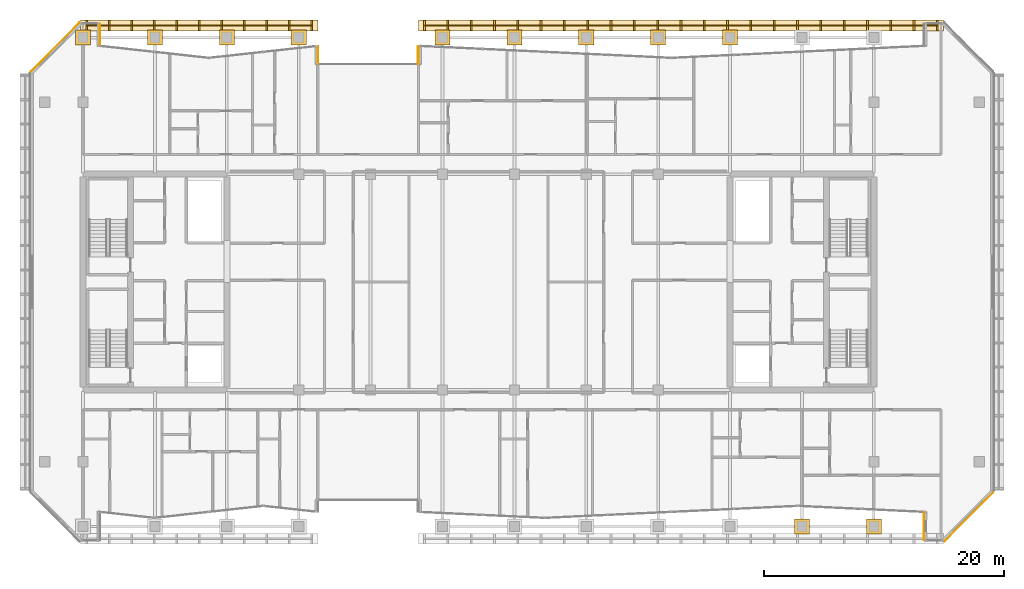
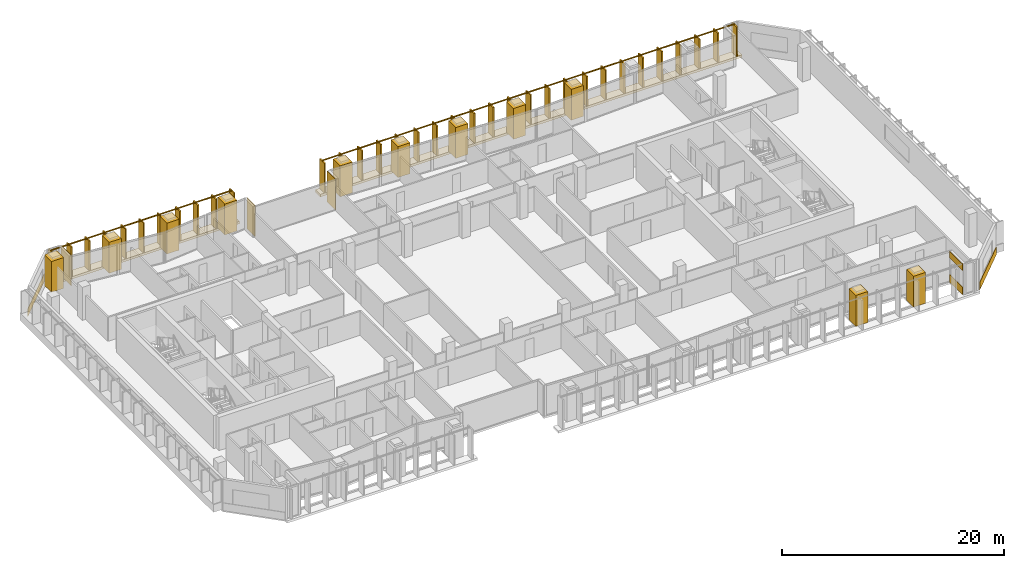
# One storey, part 28 of 29: 20 coverings, 2 railings.
"""IFC4 building model written with IfcOpenShell, lengths in metres."""

from ifc_helpers import new_model, si_unit, direction, frame, origin, origin_2d, place, context, subcontext, project, spatial, rectangle, extrude, material, layer, layer_set, type_object, element, save


model = new_model("IFC4")

# Units and contexts
model_context = context("Model", 3, precision=1e-05, world=origin(), true_north=direction((0.0, 1.0)))
body_context = subcontext(model_context, "Body", "Model", "MODEL_VIEW")
ifc_project = project(units=[si_unit("LENGTHUNIT", "METRE"), si_unit("AREAUNIT", "SQUARE_METRE"), si_unit("VOLUMEUNIT", "CUBIC_METRE"), si_unit("PLANEANGLEUNIT", "RADIAN"), si_unit("MASSUNIT", "GRAM", prefix="KILO")], contexts=[model_context])

# Site, building, storey
site_placement = place(None, origin())
site = spatial("IfcSite", under=ifc_project, at=site_placement, CompositionType="ELEMENT")
building_placement = place(site_placement, origin())
building = spatial("IfcBuilding", under=site, at=building_placement, Name="Tanjung Sevakor Pilgrim Tower", CompositionType="ELEMENT")
storey_placement = place(building_placement, frame((0.0, 0.0, 162.030029296875)))
storey = spatial("IfcBuildingStorey", under=building, at=storey_placement, Name="L45", CompositionType="ELEMENT", Elevation=162.030029296875)

# Coverings
ifc_material_1 = material(Name="Reconstructed Limestone Cladding", Category="masonry")
ifc_layer = layer(ifc_material_1, 0.044921875)
ifc_layer_set = layer_set([ifc_layer], Name="COV-CLAD-LIMESTONE")
covering_type = type_object("IfcCoveringType", Name="COV-CLAD-LIMESTONE", PredefinedType="CLADDING", material=ifc_layer_set)
covering_1_placement = place(storey_placement, frame((94.177490234375, 13.212158203125, 0.009765625), z_axis=(0.0, 0.0, 1.0), x_axis=(0.0, -1.0, 0.0)))
element("IfcCovering", 1, at=covering_1_placement, inside=storey, type_object=covering_type, Name="L45 Warm Limestone Sill Spandrel EW-L45-MAIN-14-1", PredefinedType="CLADDING", context=body_context, shape_type="SweptSolid", body=[
    extrude(rectangle(XDim=2.294189453125, YDim=0.044921875, at=origin_2d()), origin(), (0.0, 0.0, 1.0), 0.840087890625),
])
covering_2_placement = place(storey_placement, frame((94.177490234375, 13.212158203125, 2.66015625), z_axis=(0.0, 0.0, 1.0), x_axis=(0.0, -1.0, 0.0)))
element("IfcCovering", 2, at=covering_2_placement, inside=storey, type_object=covering_type, Name="L45 Warm Limestone Cornice Spandrel EW-L45-MAIN-14", PredefinedType="CLADDING", context=body_context, shape_type="SweptSolid", body=[
    extrude(rectangle(XDim=2.334228515625, YDim=0.044921875, at=origin_2d()), origin(), (0.0, 0.0, 1.0), 0.739990234375),
])
covering_3_placement = place(storey_placement, frame((97.916015625, 13.984130859375, 0.009765625), z_axis=(0.0, 0.0, 1.0), x_axis=(0.707106781187, 0.707106781187, 0.0)))
element("IfcCovering", 3, at=covering_3_placement, inside=storey, type_object=covering_type, Name="L45 Warm Limestone Sill Spandrel EW-CHM-L45-MAIN-15-1", PredefinedType="CLADDING", context=body_context, shape_type="SweptSolid", body=[
    extrude(rectangle(XDim=5.756103515625, YDim=0.044921875, at=origin_2d()), origin(), (0.0, 0.0, 1.0), 0.840087890625),
])
covering_4_placement = place(storey_placement, frame((51.9775390625, 52.531982421875, 0.02001953125), z_axis=(0.0, 0.0, 1.0), x_axis=(0.0, -1.0, 0.0)))
element("IfcCovering", 4, at=covering_4_placement, inside=storey, type_object=covering_type, Name="L45 Warm Limestone Wall Cladding EW-L45-MAIN-25", PredefinedType="CLADDING", context=body_context, shape_type="SweptSolid", body=[
    extrude(rectangle(XDim=1.473876953125, YDim=0.044921875, at=origin_2d()), origin(), (0.0, 0.0, 1.0), 3.3701171875),
])
covering_5_placement = place(storey_placement, frame((43.62255859375, 52.527587890625, 0.02001953125), z_axis=(0.0, 0.0, 1.0), x_axis=(0.0, 1.0, 0.0)))
element("IfcCovering", 5, at=covering_5_placement, inside=storey, type_object=covering_type, Name="L45 Warm Limestone Wall Cladding EW-L45-MAIN-27", PredefinedType="CLADDING", context=body_context, shape_type="SweptSolid", body=[
    extrude(rectangle(XDim=1.465576171875, YDim=0.044921875, at=origin_2d()), origin(), (0.0, 0.0, 1.0), 3.3701171875),
])
covering_6_placement = place(storey_placement, frame((25.422607421875, 54.241455078125, 0.02001953125), z_axis=(0.0, 0.0, 1.0), x_axis=(0.0, 1.0, 0.0)))
element("IfcCovering", 6, at=covering_6_placement, inside=storey, type_object=covering_type, Name="L45 Warm Limestone Wall Cladding EW-L45-MAIN-32", PredefinedType="CLADDING", context=body_context, shape_type="SweptSolid", body=[
    extrude(rectangle(XDim=1.826904296875, YDim=0.044921875, at=origin_2d()), origin(), (0.0, 0.0, 1.0), 3.3701171875),
])
covering_7_placement = place(storey_placement, frame((21.68408203125, 53.2158203125, 0.009765625), z_axis=(0.0, 0.0, 1.0), x_axis=(-0.707106781187, -0.707106781187, 0.0)))
element("IfcCovering", 7, at=covering_7_placement, inside=storey, type_object=covering_type, Name="L45 Warm Limestone Sill Spandrel EW-CHM-L45-MAIN-33-1", PredefinedType="CLADDING", context=body_context, shape_type="SweptSolid", body=[
    extrude(rectangle(XDim=5.756103515625, YDim=0.044921875, at=origin_2d()), origin(), (0.0, 0.0, 1.0), 0.840087890625),
])
for number, where, z_axis, x_axis, name in (
    (8, (24.0, 54.0, 0.01025390625), (0.0, 0.0, 1.0), (1.0, 0.0, 0.0), "L45 Colonnade Pier Limestone Casing 22"),
    (9, (30.0, 54.0, 0.01025390625), (0.0, 0.0, 1.0), (1.0, 0.0, 0.0), "L45 Colonnade Pier Limestone Casing 24"),
    (10, (36.0, 54.0, 0.01025390625), (0.0, 0.0, 1.0), (1.0, 0.0, 0.0), "L45 Colonnade Pier Limestone Casing 26"),
    (11, (42.0, 54.0, 0.01025390625), (0.0, 0.0, 1.0), (1.0, 0.0, 0.0), "L45 Colonnade Pier Limestone Casing 28"),
    (12, (54.0, 54.0, 0.01025390625), (0.0, 0.0, 1.0), (1.0, 0.0, 0.0), "L45 Colonnade Pier Limestone Casing 30"),
    (13, (60.0, 54.0, 0.01025390625), (0.0, 0.0, 1.0), (1.0, 0.0, 0.0), "L45 Colonnade Pier Limestone Casing 32"),
    (14, (66.0, 54.0, 0.01025390625), (0.0, 0.0, 1.0), (1.0, 0.0, 0.0), "L45 Colonnade Pier Limestone Casing 34"),
    (15, (72.0, 54.0, 0.01025390625), (0.0, 0.0, 1.0), (1.0, 0.0, 0.0), "L45 Colonnade Pier Limestone Casing 36"),
    (16, (78.0, 54.0, 0.01025390625), (0.0, 0.0, 1.0), (1.0, 0.0, 0.0), "L45 Colonnade Pier Limestone Casing 38"),
    (17, (84.0, 13.199951171875, 0.01025390625), (0.0, 0.0, 1.0), (1.0, 0.0, 0.0), "L45 Colonnade Pier Limestone Casing 39"),
    (18, (90.0, 13.199951171875, 0.01025390625), (0.0, 0.0, 1.0), (1.0, 0.0, 0.0), "L45 Colonnade Pier Limestone Casing 41"),
):
    element("IfcCovering", number, at=place(storey_placement, frame(where, z_axis=z_axis, x_axis=x_axis)), inside=storey, type_object=covering_type, Name=name, PredefinedType="CLADDING", context=body_context, shape_type="SweptSolid", body=[
        extrude(rectangle(XDim=1.260009765625, YDim=1.260009765625, at=origin_2d()), origin(), (0.0, 0.0, 1.0), 3.389892578125),
    ])
covering_8_placement = place(storey_placement, frame((33.699951171875, 55.02001953125, -0.25), z_axis=(0.0, 0.0, 1.0), x_axis=(1.0, 0.0, 0.0)))
element("IfcCovering", 19, at=covering_8_placement, inside=storey, type_object=covering_type, Name="L45 S-Curve Outer Fin Tie Sill NW", PredefinedType="CLADDING", context=body_context, shape_type="SweptSolid", body=[
    extrude(rectangle(XDim=19.800048828125, YDim=0.89990234375, at=origin_2d()), origin(), (0.0, 0.0, 1.0), 0.260009765625),
])
covering_9_placement = place(storey_placement, frame((73.89990234375, 55.02001953125, -0.25), z_axis=(0.0, 0.0, 1.0), x_axis=(1.0, 0.0, 0.0)))
element("IfcCovering", 20, at=covering_9_placement, inside=storey, type_object=covering_type, Name="L45 S-Curve Outer Fin Tie Sill NE", PredefinedType="CLADDING", context=body_context, shape_type="SweptSolid", body=[
    extrude(rectangle(XDim=43.800048828125, YDim=0.89990234375, at=origin_2d()), origin(), (0.0, 0.0, 1.0), 0.260009765625),
])

# Railings
ifc_material_2 = material(Name="Anodised Bronze Aluminium 6063-T6", Category="aluminium")
railing_type = type_object("IfcRailingType", Name="RL-FIN-SCREEN", PredefinedType="BALUSTRADE", material=ifc_material_2)
railing_1_placement = place(storey_placement, frame((24.300048828125, 55.02001953125, 0.0)))
element("IfcRailing", 21, at=railing_1_placement, inside=storey, type_object=railing_type, Name="L45 Vertical Bronze-Gold Solar Fin Screen FN-SCGAP-L45-NW-1", PredefinedType="BALUSTRADE", context=body_context, shape_type="SweptSolid", body=[
    extrude(rectangle(XDim=0.105, YDim=0.105), frame((0.0, 0.0, 3.317626953125), z_axis=(1.0, 0.0, 0.0), x_axis=(0.0, 1.0, 0.0)), (0.0, 0.0, 1.0), 18.800048828125),
    extrude(rectangle(XDim=0.14, YDim=0.85), origin(), (0.0, 0.0, 1.0), 3.26513671875),
    extrude(rectangle(XDim=0.14, YDim=0.85), frame((1.8798828125, 0.0, 0.0)), (0.0, 0.0, 1.0), 3.26513671875),
    extrude(rectangle(XDim=0.14, YDim=0.85), frame((3.760009765625, 0.0, 0.0)), (0.0, 0.0, 1.0), 3.26513671875),
    extrude(rectangle(XDim=0.14, YDim=0.85), frame((5.64013671875, 0.0, 0.0)), (0.0, 0.0, 1.0), 3.26513671875),
    extrude(rectangle(XDim=0.14, YDim=0.85), frame((7.52001953125, 0.0, 0.0)), (0.0, 0.0, 1.0), 3.26513671875),
    extrude(rectangle(XDim=0.14, YDim=0.85), frame((9.39990234375, 0.0, 0.0)), (0.0, 0.0, 1.0), 3.26513671875),
    extrude(rectangle(XDim=0.14, YDim=0.85), frame((11.280029296875, 0.0, 0.0)), (0.0, 0.0, 1.0), 3.26513671875),
    extrude(rectangle(XDim=0.14, YDim=0.85), frame((13.16015625, 0.0, 0.0)), (0.0, 0.0, 1.0), 3.26513671875),
    extrude(rectangle(XDim=0.14, YDim=0.85), frame((15.0400390625, 0.0, 0.0)), (0.0, 0.0, 1.0), 3.26513671875),
    extrude(rectangle(XDim=0.14, YDim=0.85), frame((16.919921875, 0.0, 0.0)), (0.0, 0.0, 1.0), 3.26513671875),
    extrude(rectangle(XDim=0.14, YDim=0.85), frame((18.800048828125, 0.0, 0.0)), (0.0, 0.0, 1.0), 3.26513671875),
])
railing_2_placement = place(storey_placement, frame((52.5, 55.02001953125, 0.0)))
element("IfcRailing", 22, at=railing_2_placement, inside=storey, type_object=railing_type, Name="L45 Vertical Bronze-Gold Solar Fin Screen FN-SCGAP-L45-NE-1", PredefinedType="BALUSTRADE", context=body_context, shape_type="SweptSolid", body=[
    extrude(rectangle(XDim=0.105, YDim=0.105), frame((0.0, 0.0, 3.317626953125), z_axis=(1.0, 0.0, 0.0), x_axis=(0.0, 1.0, 0.0)), (0.0, 0.0, 1.0), 42.800048828125),
    extrude(rectangle(XDim=0.14, YDim=0.85), origin(), (0.0, 0.0, 1.0), 3.26513671875),
    extrude(rectangle(XDim=0.14, YDim=0.85), frame((1.945556640625, 0.0, 0.0)), (0.0, 0.0, 1.0), 3.26513671875),
    extrude(rectangle(XDim=0.14, YDim=0.85), frame((3.890869140625, 0.0, 0.0)), (0.0, 0.0, 1.0), 3.26513671875),
    extrude(rectangle(XDim=0.14, YDim=0.85), frame((5.83642578125, 0.0, 0.0)), (0.0, 0.0, 1.0), 3.26513671875),
    extrude(rectangle(XDim=0.14, YDim=0.85), frame((7.78173828125, 0.0, 0.0)), (0.0, 0.0, 1.0), 3.26513671875),
    extrude(rectangle(XDim=0.14, YDim=0.85), frame((9.727294921875, 0.0, 0.0)), (0.0, 0.0, 1.0), 3.26513671875),
    extrude(rectangle(XDim=0.14, YDim=0.85), frame((11.6728515625, 0.0, 0.0)), (0.0, 0.0, 1.0), 3.26513671875),
    extrude(rectangle(XDim=0.14, YDim=0.85), frame((13.6181640625, 0.0, 0.0)), (0.0, 0.0, 1.0), 3.26513671875),
    extrude(rectangle(XDim=0.14, YDim=0.85), frame((15.563720703125, 0.0, 0.0)), (0.0, 0.0, 1.0), 3.26513671875),
    extrude(rectangle(XDim=0.14, YDim=0.85), frame((17.509033203125, 0.0, 0.0)), (0.0, 0.0, 1.0), 3.26513671875),
    extrude(rectangle(XDim=0.14, YDim=0.85), frame((19.45458984375, 0.0, 0.0)), (0.0, 0.0, 1.0), 3.26513671875),
    extrude(rectangle(XDim=0.14, YDim=0.85), frame((21.39990234375, 0.0, 0.0)), (0.0, 0.0, 1.0), 3.26513671875),
    extrude(rectangle(XDim=0.14, YDim=0.85), frame((23.345458984375, 0.0, 0.0)), (0.0, 0.0, 1.0), 3.26513671875),
    extrude(rectangle(XDim=0.14, YDim=0.85), frame((25.291015625, 0.0, 0.0)), (0.0, 0.0, 1.0), 3.26513671875),
    extrude(rectangle(XDim=0.14, YDim=0.85), frame((27.236328125, 0.0, 0.0)), (0.0, 0.0, 1.0), 3.26513671875),
    extrude(rectangle(XDim=0.14, YDim=0.85), frame((29.181884765625, 0.0, 0.0)), (0.0, 0.0, 1.0), 3.26513671875),
    extrude(rectangle(XDim=0.14, YDim=0.85), frame((31.127197265625, 0.0, 0.0)), (0.0, 0.0, 1.0), 3.26513671875),
    extrude(rectangle(XDim=0.14, YDim=0.85), frame((33.07275390625, 0.0, 0.0)), (0.0, 0.0, 1.0), 3.26513671875),
    extrude(rectangle(XDim=0.14, YDim=0.85), frame((35.018310546875, 0.0, 0.0)), (0.0, 0.0, 1.0), 3.26513671875),
    extrude(rectangle(XDim=0.14, YDim=0.85), frame((36.963623046875, 0.0, 0.0)), (0.0, 0.0, 1.0), 3.26513671875),
    extrude(rectangle(XDim=0.14, YDim=0.85), frame((38.9091796875, 0.0, 0.0)), (0.0, 0.0, 1.0), 3.26513671875),
    extrude(rectangle(XDim=0.14, YDim=0.85), frame((40.8544921875, 0.0, 0.0)), (0.0, 0.0, 1.0), 3.26513671875),
    extrude(rectangle(XDim=0.14, YDim=0.85), frame((42.800048828125, 0.0, 0.0)), (0.0, 0.0, 1.0), 3.26513671875),
])

save(model, "model.ifc")
